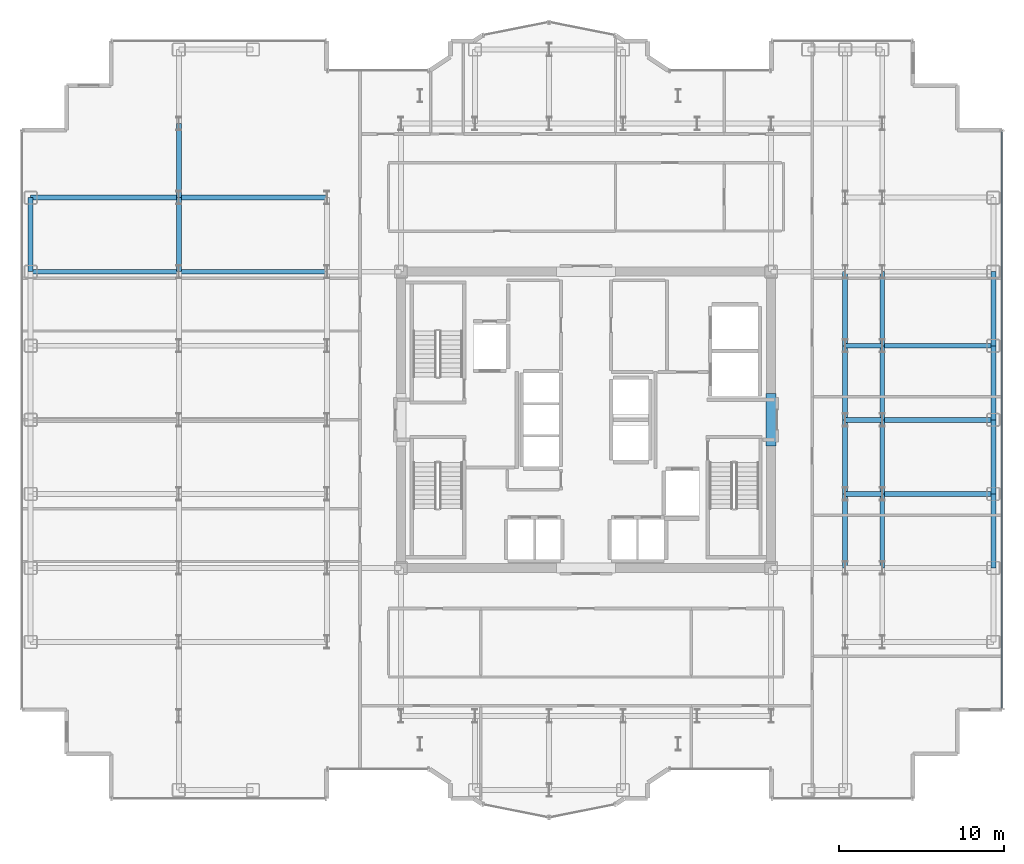
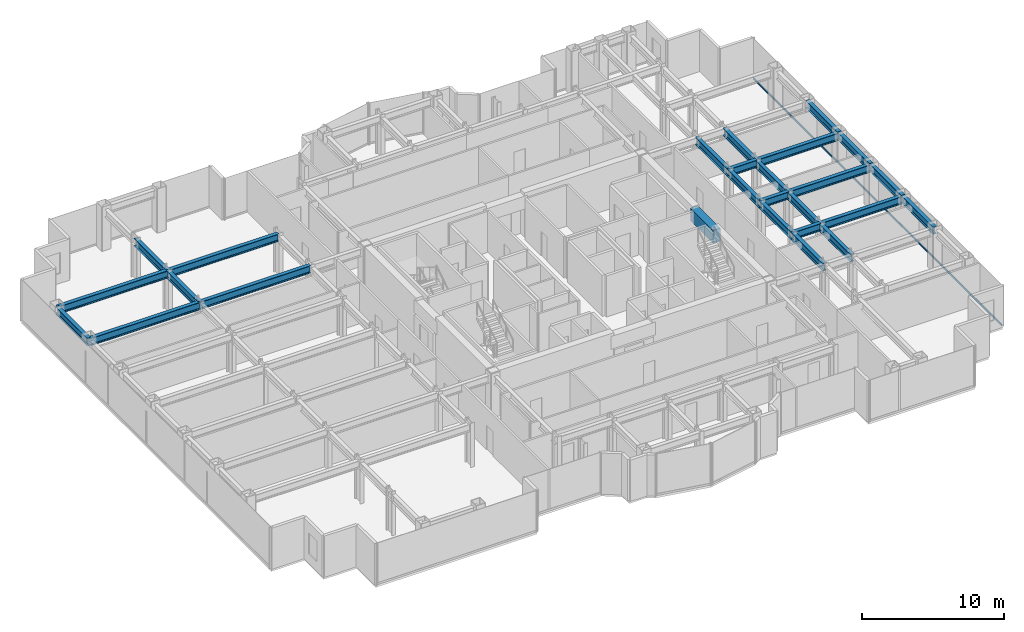
# One storey, part 9 of 23: 26 beams, 1 member, 1 element without a shape of its own.
"""IFC4 building model written with IfcOpenShell, lengths in metres."""

from ifc_helpers import new_model, si_unit, direction, frame, origin, origin_2d, place, context, subcontext, project, spatial, rectangle, hollow_rectangle, i_section, extrude, source, transform, mapped, material, layer, layer_set, material_profile, profile_set, type_object, element, aggregate, save


model = new_model("IFC4")

# Units and contexts
model_context = context("Model", 3, precision=1e-05, world=origin(), true_north=direction((0.0, 1.0)))
body_context = subcontext(model_context, "Body", "Model", "MODEL_VIEW")
ifc_project = project(units=[si_unit("LENGTHUNIT", "METRE"), si_unit("AREAUNIT", "SQUARE_METRE"), si_unit("VOLUMEUNIT", "CUBIC_METRE"), si_unit("PLANEANGLEUNIT", "RADIAN"), si_unit("MASSUNIT", "GRAM", prefix="KILO")], contexts=[model_context])

# Site, building, storey
site_placement = place(None, origin())
site = spatial("IfcSite", under=ifc_project, at=site_placement, CompositionType="ELEMENT")
building_placement = place(site_placement, origin())
building = spatial("IfcBuilding", under=site, at=building_placement, Name="Nefas-Gora Pilgrimage Tower", CompositionType="ELEMENT")
storey_placement = place(building_placement, frame((0.0, 0.0, 190.60009765625)))
storey = spatial("IfcBuildingStorey", under=building, at=storey_placement, Name="L47", CompositionType="ELEMENT", Elevation=190.60009765625)

# Beams
ifc_material_1 = material(Name="Concrete C60/75", Category="concrete")
ifc_material_profile_1 = material_profile(ifc_material_1, rectangle(XDim=0.60009765625, YDim=1.10009765625, at=origin_2d()), Name="RC 600x1100")
ifc_profile_set_1 = profile_set([ifc_material_profile_1], Name="Concrete C60/75")
beam_type_1 = type_object("IfcBeamType", Name="BM-LIN-RC1100", PredefinedType="LINTEL", material=ifc_profile_set_1)
shared_shape_1 = source(origin(), body_context, "Body", "SweptSolid", [
    extrude(rectangle(XDim=0.60009765625, YDim=1.10009765625, at=origin_2d()), origin(), (0.0, 0.0, 1.0), 3.2001953125),
])
beam_placement = place(storey_placement, frame((11.25, -1.60009765625, 3.0), z_axis=(0.0, 1.0, 0.0), x_axis=(-1.0, 0.0, 0.0)))
element("IfcBeam", 1, at=beam_placement, inside=storey, type_object=beam_type_1, Name="L47 Core Coupling Lintel Beam E", PredefinedType="LINTEL", context=body_context, shape_type="MappedRepresentation", body=[
    mapped(shared_shape_1, transform((0.0, 0.0, 0.0), x_axis=(1.0, 0.0, 0.0), y_axis=(0.0, 1.0, 0.0), z_axis=(0.0, 0.0, 1.0), scale=1.0)),
])
ifc_material_2 = material(Name="Steel S355", Category="steel")
ifc_material_profile_2 = material_profile(ifc_material_2, i_section(OverallWidth=0.300048828125, OverallDepth=0.64990234375, WebThickness=0.01611328125, FlangeThickness=0.031005859375, FilletRadius=0.027099609375, at=origin_2d()), Name="HEB 650")
ifc_profile_set_2 = profile_set([ifc_material_profile_2], Name="Steel S355")
beam_type_2 = type_object("IfcBeamType", Name="BM-SPN-HEB500", PredefinedType="SPANDREL", material=ifc_profile_set_2)
shared_shape_2 = source(origin(), body_context, "Body", "SweptSolid", [
    extrude(i_section(OverallWidth=0.300048828125, OverallDepth=0.64990234375, WebThickness=0.01611328125, FlangeThickness=0.031005859375, FilletRadius=0.027099609375, at=origin_2d()), origin(), (0.0, 0.0, 1.0), 4.5),
])
for number, where, z_axis, x_axis, name in (
    (2, (-33.75, 9.0, 3.224853515625), (0.0, 1.0, 0.0), (-1.0, 0.0, 0.0), "L47 SP-02 beam"),
    (3, (24.75, -9.0, 3.224853515625), (0.0, 1.0, 0.0), (-1.0, 0.0, 0.0), "L47 SP-02 beam"),
    (4, (24.75, -4.5, 3.224853515625), (0.0, 1.0, 0.0), (-1.0, 0.0, 0.0), "L47 SP-02 beam"),
    (5, (24.75, 0.0, 3.224853515625), (0.0, 1.0, 0.0), (-1.0, 0.0, 0.0), "L47 SP-02 beam"),
    (6, (24.75, 4.5, 3.224853515625), (0.0, 1.0, 0.0), (-1.0, 0.0, 0.0), "L47 SP-02 beam"),
):
    element("IfcBeam", number, at=place(storey_placement, frame(where, z_axis=z_axis, x_axis=x_axis)), inside=storey, type_object=beam_type_2, Name=name, PredefinedType="SPANDREL", context=body_context, shape_type="MappedRepresentation", body=[
        mapped(shared_shape_2, transform((0.0, 0.0, 0.0), x_axis=(1.0, 0.0, 0.0), y_axis=(0.0, 1.0, 0.0), z_axis=(0.0, 0.0, 1.0), scale=1.0)),
    ])
ifc_material_profile_3 = material_profile(ifc_material_2, i_section(OverallWidth=0.300048828125, OverallDepth=0.64990234375, WebThickness=0.01611328125, FlangeThickness=0.031005859375, FilletRadius=0.027099609375, at=origin_2d()), Name="HEB 650")
ifc_profile_set_3 = profile_set([ifc_material_profile_3], Name="Steel S355")
beam_type_3 = type_object("IfcBeamType", Name="BM-GIR-HEB650", PredefinedType="BEAM", material=ifc_profile_set_3)
shared_shape_3 = source(origin(), body_context, "Body", "SweptSolid", [
    extrude(i_section(OverallWidth=0.300048828125, OverallDepth=0.64990234375, WebThickness=0.01611328125, FlangeThickness=0.031005859375, FilletRadius=0.027099609375, at=origin_2d()), origin(), (0.0, 0.0, 1.0), 9.0),
])
for number, where, z_axis, x_axis, name in (
    (7, (-33.75, 9.0, 3.224853515625), (1.0, 0.0, 0.0), (0.0, 1.0, 0.0), "L47 G-03 beam"),
    (8, (-33.75, 13.5, 3.224853515625), (1.0, 0.0, 0.0), (0.0, 1.0, 0.0), "L47 G-03 beam"),
    (9, (-24.75, 9.0, 3.224853515625), (1.0, 0.0, 0.0), (0.0, 1.0, 0.0), "L47 G-03 beam"),
    (10, (-24.75, 13.5, 3.224853515625), (1.0, 0.0, 0.0), (0.0, 1.0, 0.0), "L47 G-03 beam"),
):
    element("IfcBeam", number, at=place(storey_placement, frame(where, z_axis=z_axis, x_axis=x_axis)), inside=storey, type_object=beam_type_3, Name=name, PredefinedType="BEAM", context=body_context, shape_type="MappedRepresentation", body=[
        mapped(shared_shape_3, transform((0.0, 0.0, 0.0), x_axis=(1.0, 0.0, 0.0), y_axis=(0.0, 1.0, 0.0), z_axis=(0.0, 0.0, 1.0), scale=1.0)),
    ])
shared_shape_4 = source(origin(), body_context, "Body", "SweptSolid", [
    extrude(i_section(OverallWidth=0.300048828125, OverallDepth=0.64990234375, WebThickness=0.01611328125, FlangeThickness=0.031005859375, FilletRadius=0.027099609375, at=origin_2d()), origin(), (0.0, 0.0, 1.0), 4.5),
])
for number, where, z_axis, x_axis, name in (
    (11, (-24.75, 9.0, 3.224853515625), (0.0, 1.0, 0.0), (-1.0, 0.0, 0.0), "L47 G-03 beam"),
    (12, (-24.75, 13.5, 3.224853515625), (0.0, 1.0, 0.0), (-1.0, 0.0, 0.0), "L47 G-03 beam"),
    (13, (15.75, -9.0, 3.224853515625), (0.0, 1.0, 0.0), (-1.0, 0.0, 0.0), "L47 G-03 beam"),
    (14, (15.75, -4.5, 3.224853515625), (0.0, 1.0, 0.0), (-1.0, 0.0, 0.0), "L47 G-03 beam"),
    (15, (15.75, 0.0, 3.224853515625), (0.0, 1.0, 0.0), (-1.0, 0.0, 0.0), "L47 G-03 beam"),
    (16, (15.75, 4.5, 3.224853515625), (0.0, 1.0, 0.0), (-1.0, 0.0, 0.0), "L47 G-03 beam"),
    (17, (18.0, -9.0, 3.224853515625), (0.0, 1.0, 0.0), (-1.0, 0.0, 0.0), "L47 G-03 beam"),
    (18, (18.0, -4.5, 3.224853515625), (0.0, 1.0, 0.0), (-1.0, 0.0, 0.0), "L47 G-03 beam"),
    (19, (18.0, 0.0, 3.224853515625), (0.0, 1.0, 0.0), (-1.0, 0.0, 0.0), "L47 G-03 beam"),
    (20, (18.0, 4.5, 3.224853515625), (0.0, 1.0, 0.0), (-1.0, 0.0, 0.0), "L47 G-03 beam"),
):
    element("IfcBeam", number, at=place(storey_placement, frame(where, z_axis=z_axis, x_axis=x_axis)), inside=storey, type_object=beam_type_3, Name=name, PredefinedType="BEAM", context=body_context, shape_type="MappedRepresentation", body=[
        mapped(shared_shape_4, transform((0.0, 0.0, 0.0), x_axis=(1.0, 0.0, 0.0), y_axis=(0.0, 1.0, 0.0), z_axis=(0.0, 0.0, 1.0), scale=1.0)),
    ])
shared_shape_5 = source(origin(), body_context, "Body", "SweptSolid", [
    extrude(i_section(OverallWidth=0.300048828125, OverallDepth=0.64990234375, WebThickness=0.01611328125, FlangeThickness=0.031005859375, FilletRadius=0.027099609375, at=origin_2d()), origin(), (0.0, 0.0, 1.0), 6.75),
])
for number, where, z_axis, x_axis, name in (
    (21, (18.0, -4.5, 3.224853515625), (1.0, 0.0, 0.0), (0.0, 1.0, 0.0), "L47 G-03 beam"),
    (22, (18.0, 0.0, 3.224853515625), (1.0, 0.0, 0.0), (0.0, 1.0, 0.0), "L47 G-03 beam"),
    (23, (18.0, 4.5, 3.224853515625), (1.0, 0.0, 0.0), (0.0, 1.0, 0.0), "L47 G-03 beam"),
):
    element("IfcBeam", number, at=place(storey_placement, frame(where, z_axis=z_axis, x_axis=x_axis)), inside=storey, type_object=beam_type_3, Name=name, PredefinedType="BEAM", context=body_context, shape_type="MappedRepresentation", body=[
        mapped(shared_shape_5, transform((0.0, 0.0, 0.0), x_axis=(1.0, 0.0, 0.0), y_axis=(0.0, 1.0, 0.0), z_axis=(0.0, 0.0, 1.0), scale=1.0)),
    ])
shared_shape_6 = source(origin(), body_context, "Body", "SweptSolid", [
    extrude(i_section(OverallWidth=0.300048828125, OverallDepth=0.64990234375, WebThickness=0.01611328125, FlangeThickness=0.031005859375, FilletRadius=0.027099609375, at=origin_2d()), origin(), (0.0, 0.0, 1.0), 2.25),
])
for number, where, z_axis, x_axis, name in (
    (24, (15.75, -4.5, 3.224853515625), (1.0, 0.0, 0.0), (0.0, 1.0, 0.0), "L47 G-03 beam"),
    (25, (15.75, 0.0, 3.224853515625), (1.0, 0.0, 0.0), (0.0, 1.0, 0.0), "L47 G-03 beam"),
    (26, (15.75, 4.5, 3.224853515625), (1.0, 0.0, 0.0), (0.0, 1.0, 0.0), "L47 G-03 beam"),
):
    element("IfcBeam", number, at=place(storey_placement, frame(where, z_axis=z_axis, x_axis=x_axis)), inside=storey, type_object=beam_type_3, Name=name, PredefinedType="BEAM", context=body_context, shape_type="MappedRepresentation", body=[
        mapped(shared_shape_6, transform((0.0, 0.0, 0.0), x_axis=(1.0, 0.0, 0.0), y_axis=(0.0, 1.0, 0.0), z_axis=(0.0, 0.0, 1.0), scale=1.0)),
    ])

# Curtain wall, member
ifc_material_3 = material(Name="Dark ceramic-fritted solar-control aluminium-glass curtain wall", Category="aluminium")
ifc_layer = layer(ifc_material_3, 0.219970703125)
ifc_layer_set = layer_set([ifc_layer], Name="Dark ceramic-fritted solar-control aluminium-glass curtain wall")
curtain_wall_type = type_object("IfcCurtainWallType", Name="CW-SYS-3", PredefinedType="NOTDEFINED", material=ifc_layer_set)
curtain_wall_placement = place(storey_placement, origin())
curtain_wall = element("IfcCurtainWall", 27, at=curtain_wall_placement, inside=storey, type_object=curtain_wall_type, Name="L47 Unitised Curtain Wall CW3", PredefinedType="NOTDEFINED")
ifc_material_4 = material(Name="Anodised architectural aluminium", Category="aluminium")
ifc_material_profile_4 = material_profile(ifc_material_4, hollow_rectangle(XDim=0.080078125, YDim=0.159912109375, WallThickness=0.00439453125, InnerFilletRadius=0.00439453125, OuterFilletRadius=0.009033203125, at=origin_2d()), Name="ALU TRANSOM 80x160")
ifc_profile_set_4 = profile_set([ifc_material_profile_4], Name="Anodised architectural aluminium")
member_type = type_object("IfcMemberType", Name="CWM-TRN-3", PredefinedType="USERDEFINED", material=ifc_profile_set_4)
shared_shape_7 = source(origin(), body_context, "Body", "SweptSolid", [
    extrude(hollow_rectangle(XDim=0.080078125, YDim=0.159912109375, WallThickness=0.00439453125, InnerFilletRadius=0.00439453125, OuterFilletRadius=0.009033203125, at=origin_2d()), origin(), (0.0, 0.0, 1.0), 35.06005859375),
])
member_placement = place(storey_placement, frame((25.27001953125, -17.530029296875, 0.0498046875), z_axis=(0.0, 1.0, 0.0), x_axis=(-1.0, 0.0, 0.0)))
member = element("IfcMember", 28, at=member_placement, type_object=member_type, Name="CW3 Spandrel Transom", ObjectType="TRANSOM", PredefinedType="USERDEFINED", context=body_context, shape_type="MappedRepresentation", body=[
    mapped(shared_shape_7, transform((0.0, 0.0, 0.0), x_axis=(1.0, 0.0, 0.0), y_axis=(0.0, 1.0, 0.0), z_axis=(0.0, 0.0, 1.0), scale=1.0)),
])
aggregate(curtain_wall, [member])

save(model, "model.ifc")
